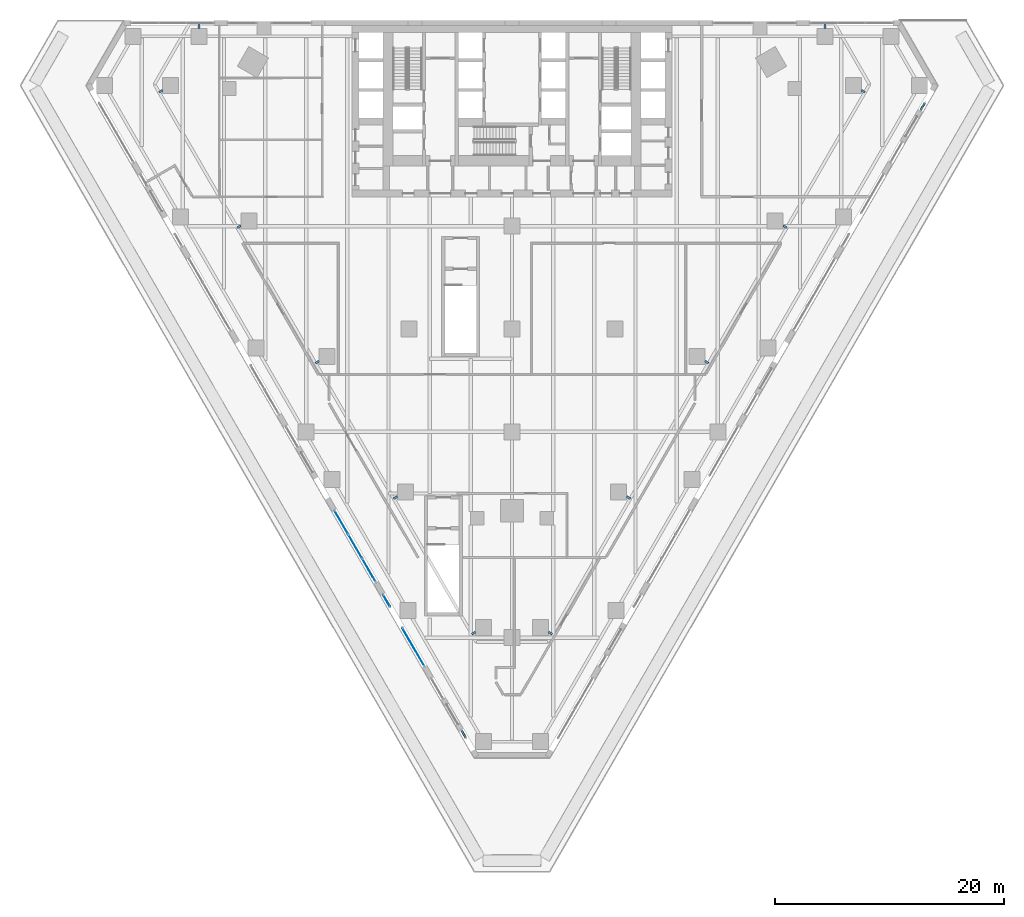
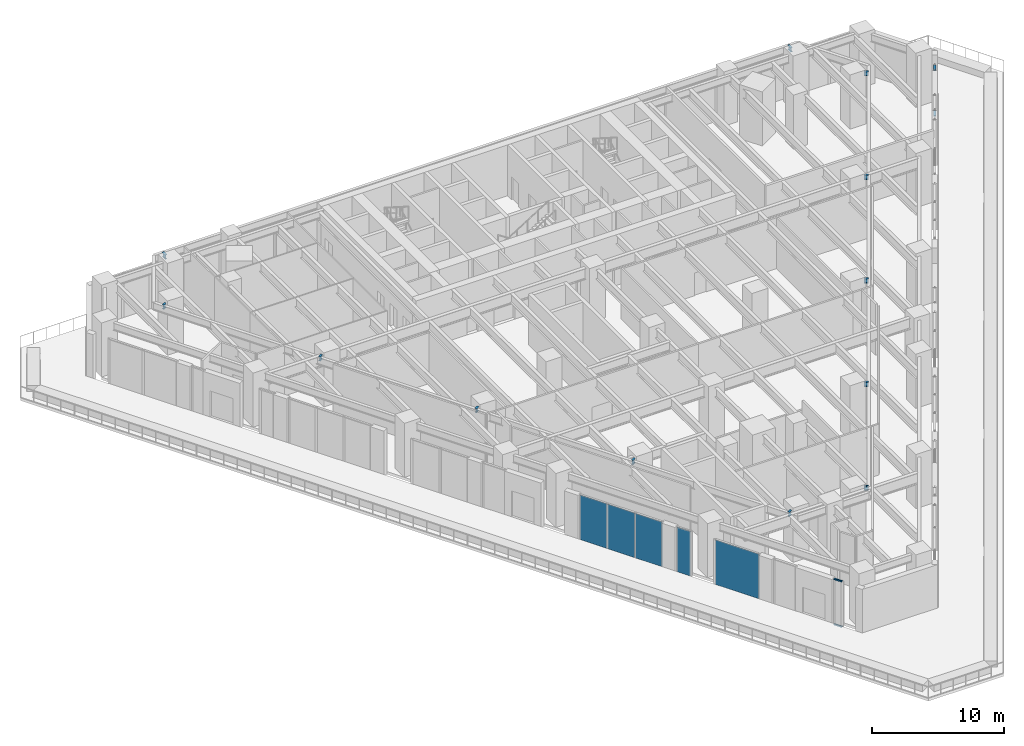
# One storey, part 15 of 31: 12 beams, 5 plates, 4 members, 5 elements without a shape of their own.
"""IFC4 building model written with IfcOpenShell, lengths in metres."""

from ifc_helpers import new_model, si_unit, direction, frame, origin, origin_2d, place, context, subcontext, project, spatial, rectangle, i_section, extrude, material, layer, layer_set, material_profile, profile_set, type_object, element, aggregate, save


model = new_model("IFC4")

# Units and contexts
model_context = context("Model", 3, precision=1e-05, world=origin(), true_north=direction((0.0, 1.0)))
body_context = subcontext(model_context, "Body", "Model", "MODEL_VIEW")
ifc_project = project(units=[si_unit("LENGTHUNIT", "METRE"), si_unit("AREAUNIT", "SQUARE_METRE"), si_unit("VOLUMEUNIT", "CUBIC_METRE"), si_unit("PLANEANGLEUNIT", "RADIAN"), si_unit("MASSUNIT", "GRAM", prefix="KILO")], contexts=[model_context])

# Site, building, storey
site_placement = place(None, origin())
site = spatial("IfcSite", under=ifc_project, at=site_placement, CompositionType="ELEMENT")
building_placement = place(site_placement, origin())
building = spatial("IfcBuilding", under=site, at=building_placement, Name="Aloe Facet Convention Tower", CompositionType="ELEMENT")
storey_placement = place(building_placement, frame((0.0, 0.0, 25.0)))
storey = spatial("IfcBuildingStorey", under=building, at=storey_placement, Name="L04", CompositionType="ELEMENT", Elevation=25.0)

# Beams
ifc_material_1 = material(Name="Steel S355", Category="steel")
ifc_material_profile_1 = material_profile(ifc_material_1, i_section(OverallWidth=0.177734375, OverallDepth=0.402587890625, WebThickness=0.0078125, FlangeThickness=0.010986328125, FilletRadius=0.01025390625, at=origin_2d()), Name="UB 406x178x54")
ifc_profile_set_1 = profile_set([ifc_material_profile_1], Name="Steel S355")
beam_type = type_object("IfcBeamType", Name="EV-BR-UB406x178x54", PredefinedType="BEAM", material=ifc_profile_set_1)
for number, where, z_axis, x_axis, name in (
    (1, (107.364990234375, 134.300048828125, 4.498779296875), (0.0, 1.0, 0.0), (-1.0, 0.0, 0.0), "EB-L05-N-BR01"),
    (2, (52.635009765625, 134.300048828125, 4.498779296875), (0.0, 1.0, 0.0), (-1.0, 0.0, 0.0), "EB-L05-N-BR02"),
):
    element("IfcBeam", number, at=place(storey_placement, frame(where, z_axis=z_axis, x_axis=x_axis)), inside=storey, type_object=beam_type, Name=name, PredefinedType="BEAM", context=body_context, shape_type="SweptSolid", body=[
        extrude(i_section(OverallWidth=0.177734375, OverallDepth=0.402587890625, WebThickness=0.0078125, FlangeThickness=0.010986328125, FilletRadius=0.01025390625, at=origin_2d()), origin(), (0.0, 0.0, 1.0), 0.474853515625),
    ])
beam_1_placement = place(storey_placement, frame((49.443115234375, 128.8798828125, 4.498779296875), z_axis=(-0.866063652425, -0.499933745558, 0.0), x_axis=(0.499933745558, -0.866063652425, 0.0)))
element("IfcBeam", 3, at=beam_1_placement, inside=storey, type_object=beam_type, Name="EB-L05-W-BR01", PredefinedType="BEAM", context=body_context, shape_type="SweptSolid", body=[
    extrude(i_section(OverallWidth=0.177734375, OverallDepth=0.402587890625, WebThickness=0.0078125, FlangeThickness=0.010986328125, FilletRadius=0.01025390625, at=origin_2d()), origin(), (0.0, 0.0, 1.0), 0.36669921875),
])
beam_2_placement = place(storey_placement, frame((56.283935546875, 117.031005859375, 4.498779296875), z_axis=(-0.865897129857, -0.500222111171, 0.0), x_axis=(0.500222111171, -0.865897129857, 0.0)))
element("IfcBeam", 4, at=beam_2_placement, inside=storey, type_object=beam_type, Name="EB-L05-W-BR02", PredefinedType="BEAM", context=body_context, shape_type="SweptSolid", body=[
    extrude(i_section(OverallWidth=0.177734375, OverallDepth=0.402587890625, WebThickness=0.0078125, FlangeThickness=0.010986328125, FilletRadius=0.01025390625, at=origin_2d()), origin(), (0.0, 0.0, 1.0), 0.366455078125),
])
beam_3_placement = place(storey_placement, frame((63.1259765625, 105.180908203125, 4.498779296875), z_axis=(-0.865775377446, -0.500432808485, 0.0), x_axis=(0.500432808485, -0.865775377446, 0.0)))
element("IfcBeam", 5, at=beam_3_placement, inside=storey, type_object=beam_type, Name="EB-L05-W-BR03", PredefinedType="BEAM", context=body_context, shape_type="SweptSolid", body=[
    extrude(i_section(OverallWidth=0.177734375, OverallDepth=0.402587890625, WebThickness=0.0078125, FlangeThickness=0.010986328125, FilletRadius=0.01025390625, at=origin_2d()), origin(), (0.0, 0.0, 1.0), 0.366943359375),
])
beam_4_placement = place(storey_placement, frame((69.967041015625, 93.331787109375, 4.498779296875), z_axis=(-0.866063652425, -0.499933745558, 0.0), x_axis=(0.499933745558, -0.866063652425, 0.0)))
element("IfcBeam", 6, at=beam_4_placement, inside=storey, type_object=beam_type, Name="EB-L05-W-BR04", PredefinedType="BEAM", context=body_context, shape_type="SweptSolid", body=[
    extrude(i_section(OverallWidth=0.177734375, OverallDepth=0.402587890625, WebThickness=0.0078125, FlangeThickness=0.010986328125, FilletRadius=0.01025390625, at=origin_2d()), origin(), (0.0, 0.0, 1.0), 0.36669921875),
])
for number, where, z_axis, x_axis, name in (
    (7, (76.80810546875, 81.48193359375, 4.498779296875), (-0.865897129857, -0.500222111171, 0.0), (0.500222111171, -0.865897129857, 0.0), "EB-L05-W-BR05"),
    (8, (103.716064453125, 117.031005859375, 4.498779296875), (0.865897129857, -0.500222111171, 0.0), (0.500222111171, 0.865897129857, 0.0), "EB-L05-E-BR01"),
):
    element("IfcBeam", number, at=place(storey_placement, frame(where, z_axis=z_axis, x_axis=x_axis)), inside=storey, type_object=beam_type, Name=name, PredefinedType="BEAM", context=body_context, shape_type="SweptSolid", body=[
        extrude(i_section(OverallWidth=0.177734375, OverallDepth=0.402587890625, WebThickness=0.0078125, FlangeThickness=0.010986328125, FilletRadius=0.01025390625, at=origin_2d()), origin(), (0.0, 0.0, 1.0), 0.366455078125),
    ])
beam_5_placement = place(storey_placement, frame((110.556884765625, 128.8798828125, 4.498779296875), z_axis=(0.866063652425, -0.499933745558, 0.0), x_axis=(0.499933745558, 0.866063652425, 0.0)))
element("IfcBeam", 9, at=beam_5_placement, inside=storey, type_object=beam_type, Name="EB-L05-E-BR02", PredefinedType="BEAM", context=body_context, shape_type="SweptSolid", body=[
    extrude(i_section(OverallWidth=0.177734375, OverallDepth=0.402587890625, WebThickness=0.0078125, FlangeThickness=0.010986328125, FilletRadius=0.01025390625, at=origin_2d()), origin(), (0.0, 0.0, 1.0), 0.36669921875),
])
beam_6_placement = place(storey_placement, frame((83.19189453125, 81.48193359375, 4.498779296875), z_axis=(0.865897129857, -0.500222111171, 0.0), x_axis=(0.500222111171, 0.865897129857, 0.0)))
element("IfcBeam", 10, at=beam_6_placement, inside=storey, type_object=beam_type, Name="EB-L05-E-BR03", PredefinedType="BEAM", context=body_context, shape_type="SweptSolid", body=[
    extrude(i_section(OverallWidth=0.177734375, OverallDepth=0.402587890625, WebThickness=0.0078125, FlangeThickness=0.010986328125, FilletRadius=0.01025390625, at=origin_2d()), origin(), (0.0, 0.0, 1.0), 0.366455078125),
])
beam_7_placement = place(storey_placement, frame((90.032958984375, 93.331787109375, 4.498779296875), z_axis=(0.866063652425, -0.499933745558, 0.0), x_axis=(0.499933745558, 0.866063652425, 0.0)))
element("IfcBeam", 11, at=beam_7_placement, inside=storey, type_object=beam_type, Name="EB-L05-E-BR04", PredefinedType="BEAM", context=body_context, shape_type="SweptSolid", body=[
    extrude(i_section(OverallWidth=0.177734375, OverallDepth=0.402587890625, WebThickness=0.0078125, FlangeThickness=0.010986328125, FilletRadius=0.01025390625, at=origin_2d()), origin(), (0.0, 0.0, 1.0), 0.36669921875),
])
beam_8_placement = place(storey_placement, frame((96.8740234375, 105.180908203125, 4.498779296875), z_axis=(0.865775377446, -0.500432808485, 0.0), x_axis=(0.500432808485, 0.865775377446, 0.0)))
element("IfcBeam", 12, at=beam_8_placement, inside=storey, type_object=beam_type, Name="EB-L05-E-BR05", PredefinedType="BEAM", context=body_context, shape_type="SweptSolid", body=[
    extrude(i_section(OverallWidth=0.177734375, OverallDepth=0.402587890625, WebThickness=0.0078125, FlangeThickness=0.010986328125, FilletRadius=0.01025390625, at=origin_2d()), origin(), (0.0, 0.0, 1.0), 0.366943359375),
])

# Curtain wall, members
ifc_material_2 = material(Name="Aluminium, anodised", Category="aluminium")
curtain_wall_type = type_object("IfcCurtainWallType", Name="EV-CW-HALL", PredefinedType="USERDEFINED", material=ifc_material_2)
curtain_wall_1_placement = place(storey_placement, origin())
curtain_wall_1 = element("IfcCurtainWall", 13, at=curtain_wall_1_placement, inside=storey, type_object=curtain_wall_type, Name="CW-L04-W16B", ObjectType="UNITISED HALL GLAZING", PredefinedType="USERDEFINED")
ifc_material_3 = material(Name="Aluminium, anodised", Category="aluminium")
ifc_material_profile_2 = material_profile(ifc_material_3, rectangle(XDim=0.159912109375, YDim=0.06494140625, at=origin_2d()), Name="AL 160x65")
ifc_profile_set_2 = profile_set([ifc_material_profile_2], Name="Aluminium, anodised")
member_type = type_object("IfcMemberType", Name="EV-TRAN-HALL", PredefinedType="USERDEFINED", material=ifc_profile_set_2)
member_1_placement = place(storey_placement, frame((75.605712890625, 72.831787109375, -0.217529296875), z_axis=(0.499919065772, -0.86607212614, 0.0), x_axis=(0.86607212614, 0.499919065772, 0.0)))
member_1 = element("IfcMember", 14, at=member_1_placement, type_object=member_type, Name="CW-L04-W16B transom 1.1", ObjectType="TRANSOM", PredefinedType="USERDEFINED", context=body_context, shape_type="SweptSolid", body=[
    extrude(rectangle(XDim=0.159912109375, YDim=0.06494140625, at=origin_2d()), origin(), (0.0, 0.0, 1.0), 0.6806640625),
])
member_2_placement = place(storey_placement, frame((75.605712890625, 72.831787109375, 3.97998046875), z_axis=(0.499919065772, -0.86607212614, 0.0), x_axis=(0.86607212614, 0.499919065772, 0.0)))
member_2 = element("IfcMember", 15, at=member_2_placement, type_object=member_type, Name="CW-L04-W16B transom 1.2", ObjectType="TRANSOM", PredefinedType="USERDEFINED", context=body_context, shape_type="SweptSolid", body=[
    extrude(rectangle(XDim=0.159912109375, YDim=0.06494140625, at=origin_2d()), origin(), (0.0, 0.0, 1.0), 0.6806640625),
])
aggregate(curtain_wall_1, [member_1, member_2])

curtain_wall_2_placement = place(storey_placement, origin())
curtain_wall_2 = element("IfcCurtainWall", 16, at=curtain_wall_2_placement, inside=storey, type_object=curtain_wall_type, Name="CW-L04-E16B", ObjectType="UNITISED HALL GLAZING", PredefinedType="USERDEFINED")
member_3_placement = place(storey_placement, frame((115.762939453125, 127.163818359375, -0.217529296875), z_axis=(0.4999606452, 0.866048124097, 0.0), x_axis=(-0.866048124097, 0.4999606452, 0.0)))
member_3 = element("IfcMember", 17, at=member_3_placement, type_object=member_type, Name="CW-L04-E16B transom 1.1", ObjectType="TRANSOM", PredefinedType="USERDEFINED", context=body_context, shape_type="SweptSolid", body=[
    extrude(rectangle(XDim=0.159912109375, YDim=0.06494140625, at=origin_2d()), origin(), (0.0, 0.0, 1.0), 0.68017578125),
])
member_4_placement = place(storey_placement, frame((115.762939453125, 127.163818359375, 3.97998046875), z_axis=(0.4999606452, 0.866048124097, 0.0), x_axis=(-0.866048124097, 0.4999606452, 0.0)))
member_4 = element("IfcMember", 18, at=member_4_placement, type_object=member_type, Name="CW-L04-E16B transom 1.2", ObjectType="TRANSOM", PredefinedType="USERDEFINED", context=body_context, shape_type="SweptSolid", body=[
    extrude(rectangle(XDim=0.159912109375, YDim=0.06494140625, at=origin_2d()), origin(), (0.0, 0.0, 1.0), 0.68017578125),
])
aggregate(curtain_wall_2, [member_3, member_4])

# Curtain wall, plates
curtain_wall_3_placement = place(storey_placement, origin())
curtain_wall_3 = element("IfcCurtainWall", 19, at=curtain_wall_3_placement, inside=storey, type_object=curtain_wall_type, Name="CW-L04-W12", ObjectType="UNITISED HALL GLAZING", PredefinedType="USERDEFINED")
ifc_material_4 = material(Name="Clear double glazing", Category="glass")
ifc_layer = layer(ifc_material_4, 0.035888671875)
ifc_layer_set = layer_set([ifc_layer], Name="EV-PANEL-HALL")
plate_type = type_object("IfcPlateType", Name="EV-PANEL-HALL", PredefinedType="CURTAIN_PANEL", material=ifc_layer_set)
plate_1_placement = place(storey_placement, frame((65.080078125, 91.0625, -0.18505859375), z_axis=(0.0, 0.0, 1.0), x_axis=(0.499999999985, -0.866025403793, 0.0)))
plate_1 = element("IfcPlate", 20, at=plate_1_placement, type_object=plate_type, Name="CW-L04-W12 panel 1.1", PredefinedType="CURTAIN_PANEL", context=body_context, shape_type="SweptSolid", body=[
    extrude(rectangle(XDim=2.331298828125, YDim=0.035888671875, at=origin_2d()), origin(), (0.0, 0.0, 1.0), 4.132568359375),
])
plate_2_placement = place(storey_placement, frame((66.286376953125, 88.97314453125, -0.18505859375), z_axis=(0.0, 0.0, 1.0), x_axis=(0.499999999985, -0.866025403793, 0.0)))
plate_2 = element("IfcPlate", 21, at=plate_2_placement, type_object=plate_type, Name="CW-L04-W12 panel 2.1", PredefinedType="CURTAIN_PANEL", context=body_context, shape_type="SweptSolid", body=[
    extrude(rectangle(XDim=2.364013671875, YDim=0.035888671875, at=origin_2d()), origin(), (0.0, 0.0, 1.0), 4.132568359375),
])
plate_3_placement = place(storey_placement, frame((67.49267578125, 86.8837890625, -0.18505859375), z_axis=(0.0, 0.0, 1.0), x_axis=(0.499999999985, -0.866025403793, 0.0)))
plate_3 = element("IfcPlate", 22, at=plate_3_placement, type_object=plate_type, Name="CW-L04-W12 panel 3.1", PredefinedType="CURTAIN_PANEL", context=body_context, shape_type="SweptSolid", body=[
    extrude(rectangle(XDim=2.331298828125, YDim=0.035888671875, at=origin_2d()), origin(), (0.0, 0.0, 1.0), 4.132568359375),
])
aggregate(curtain_wall_3, [plate_1, plate_2, plate_3])

# Curtain wall, plate
curtain_wall_4_placement = place(storey_placement, origin())
curtain_wall_4 = element("IfcCurtainWall", 23, at=curtain_wall_4_placement, inside=storey, type_object=curtain_wall_type, Name="CW-L04-W14-1", ObjectType="UNITISED HALL GLAZING", PredefinedType="USERDEFINED")
plate_4_placement = place(storey_placement, frame((69.029541015625, 84.22216796875, -0.18505859375), z_axis=(0.0, 0.0, 1.0), x_axis=(0.499999999728, -0.866025403942, 0.0)))
plate_4 = element("IfcPlate", 24, at=plate_4_placement, type_object=plate_type, Name="CW-L04-W14-1 panel 1.1", PredefinedType="CURTAIN_PANEL", context=body_context, shape_type="SweptSolid", body=[
    extrude(rectangle(XDim=1.1552734375, YDim=0.035888671875, at=origin_2d()), origin(), (0.0, 0.0, 1.0), 4.132568359375),
])
aggregate(curtain_wall_4, [plate_4])

curtain_wall_5_placement = place(storey_placement, origin())
curtain_wall_5 = element("IfcCurtainWall", 25, at=curtain_wall_5_placement, inside=storey, type_object=curtain_wall_type, Name="CW-L04-W14-2", ObjectType="UNITISED HALL GLAZING", PredefinedType="USERDEFINED")
plate_5_placement = place(storey_placement, frame((71.36328125, 80.1796875, -0.18505859375), z_axis=(0.0, 0.0, 1.0), x_axis=(0.500000000045, -0.866025403758, 0.0)))
plate_5 = element("IfcPlate", 26, at=plate_5_placement, type_object=plate_type, Name="CW-L04-W14-2 panel 1.1", PredefinedType="CURTAIN_PANEL", context=body_context, shape_type="SweptSolid", body=[
    extrude(rectangle(XDim=3.822265625, YDim=0.035888671875, at=origin_2d()), origin(), (0.0, 0.0, 1.0), 4.132568359375),
])
aggregate(curtain_wall_5, [plate_5])

save(model, "model.ifc")
